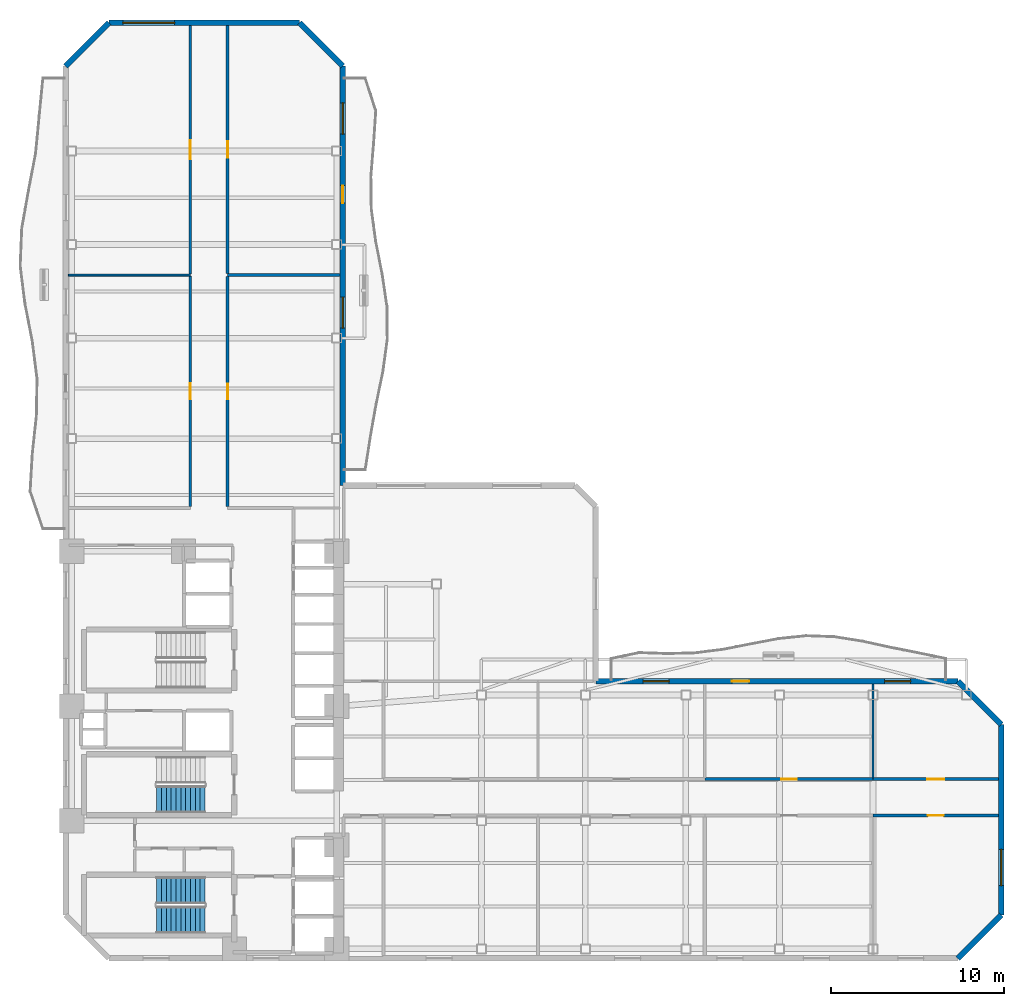
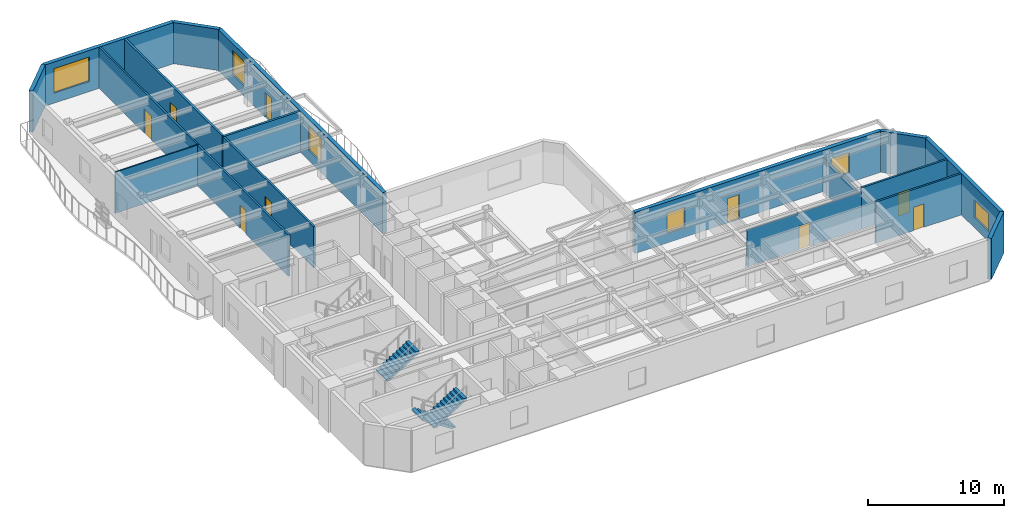
# One storey, part 6 of 10: 18 walls, 9 doors, 6 windows, 3 stair flights, 15 openings, 2 elements without a shape of their own.
"""IFC4 building model written with IfcOpenShell, lengths in metres."""

from ifc_helpers import new_model, si_unit, direction, frame, frame_2d, origin, place, context, subcontext, project, spatial, polyline, rectangle, outline, extrude, material, layer, layer_set, type_object, element, fill, aggregate, save


model = new_model("IFC4")

# Units and contexts
model_context = context("Model", 3, precision=1e-05, world=origin(), true_north=direction((0.0, 1.0)))
body_context = subcontext(model_context, "Body", "Model", "MODEL_VIEW")
ifc_project = project(units=[si_unit("LENGTHUNIT", "METRE"), si_unit("AREAUNIT", "SQUARE_METRE"), si_unit("VOLUMEUNIT", "CUBIC_METRE"), si_unit("PLANEANGLEUNIT", "RADIAN"), si_unit("MASSUNIT", "GRAM", prefix="KILO")], contexts=[model_context])

# Site, building, storey
site_placement = place(None, origin())
site = spatial("IfcSite", under=ifc_project, at=site_placement, CompositionType="ELEMENT")
building_placement = place(site_placement, origin())
building = spatial("IfcBuilding", under=site, at=building_placement, Name="Mawjaban Terraces University", CompositionType="ELEMENT")
storey_placement = place(building_placement, frame((0.0, 0.0, 58.300048828125)))
storey = spatial("IfcBuildingStorey", under=building, at=storey_placement, Name="L13", CompositionType="ELEMENT", Elevation=58.300048828125)

# Wall
ifc_material_1 = material(Name="Acoustic masonry blockwork", Category="masonry")
ifc_layer_1 = layer(ifc_material_1, 0.179931640625)
ifc_layer_set_1 = layer_set([ifc_layer_1], Name="Acoustic masonry blockwork")
wall_type_1 = type_object("IfcWallType", Name="AcousticStudioWall_180", PredefinedType="PARTITIONING", material=ifc_layer_set_1)
wall_1_placement = place(storey_placement, frame((37.844970703125, 39.43994140625, 0.0), z_axis=(0.0, 0.0, 1.0), x_axis=(-1.0, 0.0, 0.0)))
element("IfcWall", 1, at=wall_1_placement, inside=storey, type_object=wall_type_1, Name="L13 Faculty Office 11 Partition 13", PredefinedType="PARTITIONING", context=body_context, shape_type="SweptSolid", body=[
    extrude(rectangle(XDim=6.494873046875, YDim=0.179931640625, at=frame_2d((3.24755859375, 0.0))), origin(), (0.0, 0.0, 1.0), 3.68994140625),
])

# Wall, opening, door
wall_2_placement = place(storey_placement, frame((31.35009765625, 39.52490234375, 0.0), z_axis=(0.0, 0.0, 1.0), x_axis=(0.0, 1.0, 0.0)))
wall_2 = element("IfcWall", 2, at=wall_2_placement, inside=storey, type_object=wall_type_1, Name="L13 North Academic Spine Corridor Partition 34", PredefinedType="PARTITIONING", context=body_context, shape_type="SweptSolid", body=[
    extrude(rectangle(XDim=14.320068359375, YDim=0.179931640625, at=frame_2d((7.16015625, 0.0))), origin(), (0.0, 0.0, 1.0), 3.68994140625),
])
opening_1_placement = place(wall_2_placement, frame((6.68505859375, 0.0, 0.0)))
opening_1 = element("IfcOpeningElement", 3, at=opening_1_placement, cuts=wall_2, Name="Opening ID-095", PredefinedType="OPENING", context=body_context, shape_type="SweptSolid", body=[
    extrude(rectangle(XDim=0.949951171875, YDim=2.10009765625, at=frame_2d((0.47509765625, 1.050048828125))), frame((0.0, 0.099853515625, 0.0), z_axis=(0.0, -1.0, 0.0), x_axis=(1.0, 0.0, 0.0)), (0.0, 0.0, 1.0), 0.199951171875),
])
ifc_material_2 = material(Name="Powder-coated steel frame and solid acoustic timber leaf", Category="steel")
door_type_1 = type_object("IfcDoorType", Name="StudioDoor_950x2100", OperationType="NOTDEFINED", PredefinedType="DOOR", material=ifc_material_2)
door_1_placement = place(opening_1_placement, origin())
door_1 = element("IfcDoor", 4, at=door_1_placement, inside=storey, type_object=door_type_1, Name="L13 Design Studio 13 Door", OperationType="SINGLE_SWING_LEFT", OverallHeight=2.10009765625, OverallWidth=0.949951171875, PredefinedType="DOOR", context=body_context, shape_type="SweptSolid", body=[
    extrude(rectangle(XDim=0.949951171875, YDim=2.10009765625, at=frame_2d((0.47509765625, 1.050048828125))), frame((0.0, 0.02490234375, 0.0), z_axis=(0.0, -1.0, 0.0), x_axis=(1.0, 0.0, 0.0)), (0.0, 0.0, 1.0), 0.050048828125),
])
fill(opening_1, door_1)

ifc_material_3 = material(Name="Fire-rated gypsum board on steel stud", Category="steel")
ifc_layer_2 = layer(ifc_material_3, 0.159912109375)
ifc_layer_set_2 = layer_set([ifc_layer_2], Name="Fire-rated gypsum board on steel stud")
wall_type_2 = type_object("IfcWallType", Name="CorridorPartition_160", PredefinedType="PARTITIONING", material=ifc_layer_set_2)
wall_3_placement = place(storey_placement, frame((68.60009765625, 8.25, 0.0), z_axis=(0.0, 0.0, 1.0), x_axis=(1.0, 0.0, 0.0)))
wall_3 = element("IfcWall", 5, at=wall_3_placement, inside=storey, type_object=wall_type_2, Name="L13 East Academic Spine Corridor Partition 23", PredefinedType="PARTITIONING", context=body_context, shape_type="SweptSolid", body=[
    extrude(rectangle(XDim=7.244873046875, YDim=0.159912109375, at=frame_2d((3.62255859375, 0.0))), origin(), (0.0, 0.0, 1.0), 3.68994140625),
])
opening_2_placement = place(wall_3_placement, frame((3.173095703125, 0.0, 0.0)))
opening_2 = element("IfcOpeningElement", 6, at=opening_2_placement, cuts=wall_3, Name="Opening ID-090", PredefinedType="OPENING", context=body_context, shape_type="SweptSolid", body=[
    extrude(rectangle(XDim=0.89990234375, YDim=2.10009765625, at=frame_2d((0.449951171875, 1.050048828125))), frame((0.0, 0.08984375, 0.0), z_axis=(0.0, -1.0, 0.0), x_axis=(1.0, 0.0, 0.0)), (0.0, 0.0, 1.0), 0.179931640625),
])
door_type_2 = type_object("IfcDoorType", Name="OfficeDoor_900x2100", OperationType="NOTDEFINED", PredefinedType="DOOR", material=ifc_material_2)
door_2_placement = place(opening_2_placement, origin())
door_2 = element("IfcDoor", 7, at=door_2_placement, inside=storey, type_object=door_type_2, Name="L13 Academic Counseling Room 8 Door", OperationType="SINGLE_SWING_RIGHT", OverallHeight=2.10009765625, OverallWidth=0.89990234375, PredefinedType="DOOR", context=body_context, shape_type="SweptSolid", body=[
    extrude(rectangle(XDim=0.89990234375, YDim=2.10009765625, at=frame_2d((0.449951171875, 1.050048828125))), frame((0.0, 0.02490234375, 0.0), z_axis=(0.0, -1.0, 0.0), x_axis=(1.0, 0.0, 0.0)), (0.0, 0.0, 1.0), 0.050048828125),
])
fill(opening_2, door_2)

wall_4_placement = place(storey_placement, frame((68.60009765625, 10.35009765625, 0.0), z_axis=(0.0, 0.0, 1.0), x_axis=(-1.0, 0.0, 0.0)))
wall_4 = element("IfcWall", 8, at=wall_4_placement, inside=storey, type_object=wall_type_2, Name="L13 East Academic Spine Corridor Partition 24", PredefinedType="PARTITIONING", context=body_context, shape_type="SweptSolid", body=[
    extrude(rectangle(XDim=9.710205078125, YDim=0.159912109375, at=frame_2d((4.85498046875, 0.0))), origin(), (0.0, 0.0, 1.0), 3.27685546875),
])
opening_3_placement = place(wall_4_placement, frame((4.405029296875, 0.0, 0.0)))
opening_3 = element("IfcOpeningElement", 9, at=opening_3_placement, cuts=wall_4, Name="Opening ID-090", PredefinedType="OPENING", context=body_context, shape_type="SweptSolid", body=[
    extrude(rectangle(XDim=0.89990234375, YDim=2.10009765625, at=frame_2d((0.449951171875, 1.050048828125))), frame((0.0, 0.08984375, 0.0), z_axis=(0.0, -1.0, 0.0), x_axis=(1.0, 0.0, 0.0)), (0.0, 0.0, 1.0), 0.179931640625),
])
door_3_placement = place(opening_3_placement, origin())
door_3 = element("IfcDoor", 10, at=door_3_placement, inside=storey, type_object=door_type_2, Name="L13 Academic Counseling Room 7 Door", OperationType="SINGLE_SWING_LEFT", OverallHeight=2.10009765625, OverallWidth=0.89990234375, PredefinedType="DOOR", context=body_context, shape_type="SweptSolid", body=[
    extrude(rectangle(XDim=0.89990234375, YDim=2.10009765625, at=frame_2d((0.449951171875, 1.050048828125))), frame((0.0, 0.02490234375, 0.0), z_axis=(0.0, -1.0, 0.0), x_axis=(1.0, 0.0, 0.0)), (0.0, 0.0, 1.0), 0.050048828125),
])
fill(opening_3, door_3)

wall_5_placement = place(storey_placement, frame((75.844970703125, 10.35009765625, 0.0), z_axis=(0.0, 0.0, 1.0), x_axis=(-1.0, 0.0, 0.0)))
wall_5 = element("IfcWall", 11, at=wall_5_placement, inside=storey, type_object=wall_type_2, Name="L13 East Academic Spine Corridor Partition 25", PredefinedType="PARTITIONING", context=body_context, shape_type="SweptSolid", body=[
    extrude(rectangle(XDim=7.244873046875, YDim=0.159912109375, at=frame_2d((3.62255859375, 0.0))), origin(), (0.0, 0.0, 1.0), 3.68994140625),
])
opening_4_placement = place(wall_5_placement, frame((3.123046875, 0.0, 0.0)))
opening_4 = element("IfcOpeningElement", 12, at=opening_4_placement, cuts=wall_5, Name="Opening ID-100", PredefinedType="OPENING", context=body_context, shape_type="SweptSolid", body=[
    extrude(rectangle(XDim=1.0, YDim=2.10009765625, at=frame_2d((0.5, 1.050048828125))), frame((0.0, 0.08984375, 0.0), z_axis=(0.0, -1.0, 0.0), x_axis=(1.0, 0.0, 0.0)), (0.0, 0.0, 1.0), 0.179931640625),
])
door_type_3 = type_object("IfcDoorType", Name="ClassroomDoor_1000x2100", OperationType="NOTDEFINED", PredefinedType="DOOR", material=ifc_material_2)
door_4_placement = place(opening_4_placement, origin())
door_4 = element("IfcDoor", 13, at=door_4_placement, inside=storey, type_object=door_type_3, Name="L13 Classroom 9 Door", OperationType="SINGLE_SWING_LEFT", OverallHeight=2.10009765625, OverallWidth=1.0, PredefinedType="DOOR", context=body_context, shape_type="SweptSolid", body=[
    extrude(rectangle(XDim=1.0, YDim=2.10009765625, at=frame_2d((0.5, 1.050048828125))), frame((0.0, 0.02490234375, 0.0), z_axis=(0.0, -1.0, 0.0), x_axis=(1.0, 0.0, 0.0)), (0.0, 0.0, 1.0), 0.050048828125),
])
fill(opening_4, door_4)

wall_6_placement = place(storey_placement, frame((29.199951171875, 39.389892578125, 0.0), z_axis=(0.0, 0.0, 1.0), x_axis=(0.0, -1.0, 0.0)))
wall_6 = element("IfcWall", 14, at=wall_6_placement, inside=storey, type_object=wall_type_2, Name="L13 North Academic Spine Corridor Partition 31", PredefinedType="PARTITIONING", context=body_context, shape_type="SweptSolid", body=[
    extrude(rectangle(XDim=13.31494140625, YDim=0.159912109375, at=frame_2d((6.657470703125, 0.0))), origin(), (0.0, 0.0, 1.0), 3.68994140625),
])
opening_5_placement = place(wall_6_placement, frame((6.2080078125, 0.0, 0.0)))
opening_5 = element("IfcOpeningElement", 15, at=opening_5_placement, cuts=wall_6, Name="Opening ID-090", PredefinedType="OPENING", context=body_context, shape_type="SweptSolid", body=[
    extrude(rectangle(XDim=0.89990234375, YDim=2.10009765625, at=frame_2d((0.449951171875, 1.050048828125))), frame((0.0, 0.08984375, 0.0), z_axis=(0.0, -1.0, 0.0), x_axis=(1.0, 0.0, 0.0)), (0.0, 0.0, 1.0), 0.179931640625),
])
door_5_placement = place(opening_5_placement, origin())
door_5 = element("IfcDoor", 16, at=door_5_placement, inside=storey, type_object=door_type_2, Name="L13 Seminar Room 10 Door", OperationType="SINGLE_SWING_RIGHT", OverallHeight=2.10009765625, OverallWidth=0.89990234375, PredefinedType="DOOR", context=body_context, shape_type="SweptSolid", body=[
    extrude(rectangle(XDim=0.89990234375, YDim=2.10009765625, at=frame_2d((0.449951171875, 1.050048828125))), frame((0.0, 0.02490234375, 0.0), z_axis=(0.0, -1.0, 0.0), x_axis=(1.0, 0.0, 0.0)), (0.0, 0.0, 1.0), 0.050048828125),
])
fill(opening_5, door_5)

wall_7_placement = place(storey_placement, frame((31.35009765625, 26.074951171875, 0.0), z_axis=(0.0, 0.0, 1.0), x_axis=(0.0, 1.0, 0.0)))
wall_7 = element("IfcWall", 17, at=wall_7_placement, inside=storey, type_object=wall_type_2, Name="L13 North Academic Spine Corridor Partition 33", PredefinedType="PARTITIONING", context=body_context, shape_type="SweptSolid", body=[
    extrude(rectangle(XDim=13.280029296875, YDim=0.159912109375, at=frame_2d((6.64013671875, 0.0))), origin(), (0.0, 0.0, 1.0), 3.68994140625),
])
opening_6_placement = place(wall_7_placement, frame((6.18994140625, 0.0, 0.0)))
opening_6 = element("IfcOpeningElement", 18, at=opening_6_placement, cuts=wall_7, Name="Opening ID-090", PredefinedType="OPENING", context=body_context, shape_type="SweptSolid", body=[
    extrude(rectangle(XDim=0.89990234375, YDim=2.10009765625, at=frame_2d((0.449951171875, 1.050048828125))), frame((0.0, 0.08984375, 0.0), z_axis=(0.0, -1.0, 0.0), x_axis=(1.0, 0.0, 0.0)), (0.0, 0.0, 1.0), 0.179931640625),
])
door_6_placement = place(opening_6_placement, origin())
door_6 = element("IfcDoor", 19, at=door_6_placement, inside=storey, type_object=door_type_2, Name="L13 Faculty Office 11 Door", OperationType="SINGLE_SWING_LEFT", OverallHeight=2.10009765625, OverallWidth=0.89990234375, PredefinedType="DOOR", context=body_context, shape_type="SweptSolid", body=[
    extrude(rectangle(XDim=0.89990234375, YDim=2.10009765625, at=frame_2d((0.449951171875, 1.050048828125))), frame((0.0, 0.02490234375, 0.0), z_axis=(0.0, -1.0, 0.0), x_axis=(1.0, 0.0, 0.0)), (0.0, 0.0, 1.0), 0.050048828125),
])
fill(opening_6, door_6)

# Wall
ifc_material_4 = material(Name="Insulated terracotta rainscreen on concrete backup C40/50", Category="masonry")
ifc_layer_3 = layer(ifc_material_4, 0.320068359375)
ifc_layer_set_3 = layer_set([ifc_layer_3], Name="Insulated terracotta rainscreen on concrete backup C40/50")
wall_type_3 = type_object("IfcWallType", Name="ExtTerracottaWall_320", PredefinedType="SOLIDWALL", material=ifc_layer_set_3)
wall_8_placement = place(storey_placement, frame((73.5, 0.0, 0.0), z_axis=(0.0, 0.0, 1.0), x_axis=(0.707106781187, 0.707106781187, 0.0)))
element("IfcWall", 20, at=wall_8_placement, inside=storey, type_object=wall_type_3, Name="L13 Exterior Terracotta Wall 2", PredefinedType="SOLIDWALL", context=body_context, shape_type="SweptSolid", body=[
    extrude(rectangle(XDim=3.53564453125, YDim=0.320068359375, at=frame_2d((1.767822265625, 0.0))), origin(), (0.0, 0.0, 1.0), 3.68994140625),
])

# Wall, opening, window
wall_9_placement = place(storey_placement, frame((76.0, 2.5, 0.0), z_axis=(0.0, 0.0, 1.0), x_axis=(0.0, 1.0, 0.0)))
wall_9 = element("IfcWall", 21, at=wall_9_placement, inside=storey, type_object=wall_type_3, Name="L13 Exterior Terracotta Wall 3", PredefinedType="SOLIDWALL", context=body_context, shape_type="SweptSolid", body=[
    extrude(rectangle(XDim=11.0, YDim=0.320068359375, at=frame_2d((5.5, 0.0))), origin(), (0.0, 0.0, 1.0), 3.68994140625),
])
opening_7_placement = place(wall_9_placement, frame((1.699951171875, 0.0, 0.89990234375)))
opening_7 = element("IfcOpeningElement", 22, at=opening_7_placement, cuts=wall_9, Name="Opening W-04", PredefinedType="OPENING", context=body_context, shape_type="SweptSolid", body=[
    extrude(rectangle(XDim=2.10009765625, YDim=1.60009765625, at=frame_2d((1.050048828125, 0.800048828125))), frame((0.0, 0.169921875, 0.0), z_axis=(0.0, -1.0, 0.0), x_axis=(1.0, 0.0, 0.0)), (0.0, 0.0, 1.0), 0.340087890625),
])
ifc_material_5 = material(Name="Low-E solar-control double glazing in thermally broken aluminium frame", Category="aluminium")
window_type_1 = type_object("IfcWindowType", Name="Win_2100x1600", PartitioningType="SINGLE_PANEL", PredefinedType="WINDOW", material=ifc_material_5)
window_1_placement = place(opening_7_placement, origin())
window_1 = element("IfcWindow", 23, at=window_1_placement, inside=storey, type_object=window_type_1, Name="L13 Facade Window 3.1", OverallHeight=1.60009765625, OverallWidth=2.10009765625, PartitioningType="SINGLE_PANEL", PredefinedType="WINDOW", context=body_context, shape_type="SweptSolid", body=[
    extrude(rectangle(XDim=2.10009765625, YDim=1.60009765625, at=frame_2d((1.050048828125, 0.800048828125))), frame((0.0, 0.030029296875, 0.0), z_axis=(0.0, -1.0, 0.0), x_axis=(1.0, 0.0, 0.0)), (0.0, 0.0, 1.0), 0.06005859375),
])
fill(opening_7, window_1)

# Wall
wall_10_placement = place(storey_placement, frame((76.0, 13.5, 0.0), z_axis=(0.0, 0.0, 1.0), x_axis=(-0.707106781187, 0.707106781187, 0.0)))
element("IfcWall", 24, at=wall_10_placement, inside=storey, type_object=wall_type_3, Name="L13 Exterior Terracotta Wall 4", PredefinedType="SOLIDWALL", context=body_context, shape_type="SweptSolid", body=[
    extrude(rectangle(XDim=3.53564453125, YDim=0.320068359375, at=frame_2d((1.767822265625, 0.0))), origin(), (0.0, 0.0, 1.0), 3.68994140625),
])

# Wall, openings, door, windows
wall_11_placement = place(storey_placement, frame((73.5, 16.0, 0.0), z_axis=(0.0, 0.0, 1.0), x_axis=(-1.0, 0.0, 0.0)))
wall_11 = element("IfcWall", 25, at=wall_11_placement, inside=storey, type_object=wall_type_3, Name="L13 Exterior Terracotta Wall 5", PredefinedType="SOLIDWALL", context=body_context, shape_type="SweptSolid", body=[
    extrude(rectangle(XDim=20.89990234375, YDim=0.320068359375, at=frame_2d((10.449951171875, 0.0))), origin(), (0.0, 0.0, 1.0), 3.68994140625),
])
opening_8_placement = place(wall_11_placement, frame((12.050048828125, 0.0, 0.0)))
opening_8 = element("IfcOpeningElement", 26, at=opening_8_placement, cuts=wall_11, Name="Opening BD-100", PredefinedType="OPENING", context=body_context, shape_type="SweptSolid", body=[
    extrude(rectangle(XDim=1.0, YDim=2.199951171875, at=frame_2d((0.5, 1.10009765625))), frame((0.0, 0.169921875, 0.0), z_axis=(0.0, -1.0, 0.0), x_axis=(1.0, 0.0, 0.0)), (0.0, 0.0, 1.0), 0.340087890625),
])
opening_9_placement = place(wall_11_placement, frame((2.73291015625, 0.0, 0.89990234375)))
opening_9 = element("IfcOpeningElement", 27, at=opening_9_placement, cuts=wall_11, Name="Opening W-06", PredefinedType="OPENING", context=body_context, shape_type="SweptSolid", body=[
    extrude(rectangle(XDim=1.5, YDim=1.800048828125, at=frame_2d((0.75, 0.89990234375))), frame((0.0, 0.169921875, 0.0), z_axis=(0.0, -1.0, 0.0), x_axis=(1.0, 0.0, 0.0)), (0.0, 0.0, 1.0), 0.340087890625),
])
opening_10_placement = place(wall_11_placement, frame((16.6669921875, 0.0, 0.89990234375)))
opening_10 = element("IfcOpeningElement", 28, at=opening_10_placement, cuts=wall_11, Name="Opening W-06", PredefinedType="OPENING", context=body_context, shape_type="SweptSolid", body=[
    extrude(rectangle(XDim=1.5, YDim=1.800048828125, at=frame_2d((0.75, 0.89990234375))), frame((0.0, 0.169921875, 0.0), z_axis=(0.0, -1.0, 0.0), x_axis=(1.0, 0.0, 0.0)), (0.0, 0.0, 1.0), 0.340087890625),
])
ifc_material_6 = material(Name="Thermally broken anodised aluminium and laminated safety glass", Category="aluminium")
door_type_4 = type_object("IfcDoorType", Name="BalconyGlazedDoor_1000x2200", OperationType="NOTDEFINED", PredefinedType="DOOR", material=ifc_material_6)
door_7_placement = place(opening_8_placement, origin())
door_7 = element("IfcDoor", 29, at=door_7_placement, inside=storey, type_object=door_type_4, Name="L13 Balcony Access Door inner_north", OperationType="SINGLE_SWING_RIGHT", OverallHeight=2.199951171875, OverallWidth=1.0, PredefinedType="DOOR", context=body_context, shape_type="SweptSolid", body=[
    extrude(rectangle(XDim=1.0, YDim=2.199951171875, at=frame_2d((0.5, 1.10009765625))), frame((0.0, 0.02490234375, 0.0), z_axis=(0.0, -1.0, 0.0), x_axis=(1.0, 0.0, 0.0)), (0.0, 0.0, 1.0), 0.050048828125),
])
fill(opening_8, door_7)
window_type_2 = type_object("IfcWindowType", Name="Win_1500x1800", PartitioningType="SINGLE_PANEL", PredefinedType="WINDOW", material=ifc_material_5)
window_2_placement = place(opening_9_placement, origin())
window_2 = element("IfcWindow", 30, at=window_2_placement, inside=storey, type_object=window_type_2, Name="L13 Facade Window 5.1", OverallHeight=1.800048828125, OverallWidth=1.5, PartitioningType="SINGLE_PANEL", PredefinedType="WINDOW", context=body_context, shape_type="SweptSolid", body=[
    extrude(rectangle(XDim=1.5, YDim=1.800048828125, at=frame_2d((0.75, 0.89990234375))), frame((0.0, 0.030029296875, 0.0), z_axis=(0.0, -1.0, 0.0), x_axis=(1.0, 0.0, 0.0)), (0.0, 0.0, 1.0), 0.06005859375),
])
fill(opening_9, window_2)
window_3_placement = place(opening_10_placement, origin())
window_3 = element("IfcWindow", 31, at=window_3_placement, inside=storey, type_object=window_type_2, Name="L13 Facade Window 5.3", OverallHeight=1.800048828125, OverallWidth=1.5, PartitioningType="SINGLE_PANEL", PredefinedType="WINDOW", context=body_context, shape_type="SweptSolid", body=[
    extrude(rectangle(XDim=1.5, YDim=1.800048828125, at=frame_2d((0.75, 0.89990234375))), frame((0.0, 0.030029296875, 0.0), z_axis=(0.0, -1.0, 0.0), x_axis=(1.0, 0.0, 0.0)), (0.0, 0.0, 1.0), 0.06005859375),
])
fill(opening_10, window_3)

wall_12_placement = place(storey_placement, frame((38.0, 27.294921875, 0.0), z_axis=(0.0, 0.0, 1.0), x_axis=(0.0, 1.0, 0.0)))
wall_12 = element("IfcWall", 32, at=wall_12_placement, inside=storey, type_object=wall_type_3, Name="L13 Exterior Terracotta Wall 9", PredefinedType="SOLIDWALL", context=body_context, shape_type="SweptSolid", body=[
    extrude(rectangle(XDim=24.205078125, YDim=0.320068359375, at=frame_2d((12.1025390625, 0.0))), origin(), (0.0, 0.0, 1.0), 3.68994140625),
])
opening_11_placement = place(wall_12_placement, frame((16.302978515625, 0.0, 0.0)))
opening_11 = element("IfcOpeningElement", 33, at=opening_11_placement, cuts=wall_12, Name="Opening BD-100", PredefinedType="OPENING", context=body_context, shape_type="SweptSolid", body=[
    extrude(rectangle(XDim=1.0, YDim=2.199951171875, at=frame_2d((0.5, 1.10009765625))), frame((0.0, 0.169921875, 0.0), z_axis=(0.0, -1.0, 0.0), x_axis=(1.0, 0.0, 0.0)), (0.0, 0.0, 1.0), 0.340087890625),
])
opening_12_placement = place(wall_12_placement, frame((9.076904296875, 0.0, 0.89990234375)))
opening_12 = element("IfcOpeningElement", 34, at=opening_12_placement, cuts=wall_12, Name="Opening W-10", PredefinedType="OPENING", context=body_context, shape_type="SweptSolid", body=[
    extrude(rectangle(XDim=1.800048828125, YDim=2.199951171875, at=frame_2d((0.89990234375, 1.10009765625))), frame((0.0, 0.169921875, 0.0), z_axis=(0.0, -1.0, 0.0), x_axis=(1.0, 0.0, 0.0)), (0.0, 0.0, 1.0), 0.340087890625),
])
opening_13_placement = place(wall_12_placement, frame((20.279052734375, 0.0, 0.89990234375)))
opening_13 = element("IfcOpeningElement", 35, at=opening_13_placement, cuts=wall_12, Name="Opening W-10", PredefinedType="OPENING", context=body_context, shape_type="SweptSolid", body=[
    extrude(rectangle(XDim=1.800048828125, YDim=2.199951171875, at=frame_2d((0.89990234375, 1.10009765625))), frame((0.0, 0.169921875, 0.0), z_axis=(0.0, -1.0, 0.0), x_axis=(1.0, 0.0, 0.0)), (0.0, 0.0, 1.0), 0.340087890625),
])
door_8_placement = place(opening_11_placement, origin())
door_8 = element("IfcDoor", 36, at=door_8_placement, inside=storey, type_object=door_type_4, Name="L13 Balcony Access Door inner_east", OperationType="SINGLE_SWING_RIGHT", OverallHeight=2.199951171875, OverallWidth=1.0, PredefinedType="DOOR", context=body_context, shape_type="SweptSolid", body=[
    extrude(rectangle(XDim=1.0, YDim=2.199951171875, at=frame_2d((0.5, 1.10009765625))), frame((0.0, 0.02490234375, 0.0), z_axis=(0.0, -1.0, 0.0), x_axis=(1.0, 0.0, 0.0)), (0.0, 0.0, 1.0), 0.050048828125),
])
fill(opening_11, door_8)
window_type_3 = type_object("IfcWindowType", Name="Win_1800x2200", PartitioningType="SINGLE_PANEL", PredefinedType="WINDOW", material=ifc_material_5)
window_4_placement = place(opening_12_placement, origin())
window_4 = element("IfcWindow", 37, at=window_4_placement, inside=storey, type_object=window_type_3, Name="L13 Facade Window 9.2", OverallHeight=2.199951171875, OverallWidth=1.800048828125, PartitioningType="SINGLE_PANEL", PredefinedType="WINDOW", context=body_context, shape_type="SweptSolid", body=[
    extrude(rectangle(XDim=1.800048828125, YDim=2.199951171875, at=frame_2d((0.89990234375, 1.10009765625))), frame((0.0, 0.030029296875, 0.0), z_axis=(0.0, -1.0, 0.0), x_axis=(1.0, 0.0, 0.0)), (0.0, 0.0, 1.0), 0.06005859375),
])
fill(opening_12, window_4)
window_5_placement = place(opening_13_placement, origin())
window_5 = element("IfcWindow", 38, at=window_5_placement, inside=storey, type_object=window_type_3, Name="L13 Facade Window 9.4", OverallHeight=2.199951171875, OverallWidth=1.800048828125, PartitioningType="SINGLE_PANEL", PredefinedType="WINDOW", context=body_context, shape_type="SweptSolid", body=[
    extrude(rectangle(XDim=1.800048828125, YDim=2.199951171875, at=frame_2d((0.89990234375, 1.10009765625))), frame((0.0, 0.030029296875, 0.0), z_axis=(0.0, -1.0, 0.0), x_axis=(1.0, 0.0, 0.0)), (0.0, 0.0, 1.0), 0.06005859375),
])
fill(opening_13, window_5)

# Wall
wall_13_placement = place(storey_placement, frame((38.0, 51.5, 0.0), z_axis=(0.0, 0.0, 1.0), x_axis=(-0.707106781187, 0.707106781187, 0.0)))
element("IfcWall", 39, at=wall_13_placement, inside=storey, type_object=wall_type_3, Name="L13 Exterior Terracotta Wall 10", PredefinedType="SOLIDWALL", context=body_context, shape_type="SweptSolid", body=[
    extrude(rectangle(XDim=3.53564453125, YDim=0.320068359375, at=frame_2d((1.767822265625, 0.0))), origin(), (0.0, 0.0, 1.0), 3.68994140625),
])

# Wall, opening, window
wall_14_placement = place(storey_placement, frame((35.5, 54.0, 0.0), z_axis=(0.0, 0.0, 1.0), x_axis=(-1.0, 0.0, 0.0)))
wall_14 = element("IfcWall", 40, at=wall_14_placement, inside=storey, type_object=wall_type_3, Name="L13 Exterior Terracotta Wall 11", PredefinedType="SOLIDWALL", context=body_context, shape_type="SweptSolid", body=[
    extrude(rectangle(XDim=11.0, YDim=0.320068359375, at=frame_2d((5.5, 0.0))), origin(), (0.0, 0.0, 1.0), 3.68994140625),
])
opening_14_placement = place(wall_14_placement, frame((7.199951171875, 0.0, 0.89990234375)))
opening_14 = element("IfcOpeningElement", 41, at=opening_14_placement, cuts=wall_14, Name="Opening W-12", PredefinedType="OPENING", context=body_context, shape_type="SweptSolid", body=[
    extrude(rectangle(XDim=3.0, YDim=2.199951171875, at=frame_2d((1.5, 1.10009765625))), frame((0.0, 0.169921875, 0.0), z_axis=(0.0, -1.0, 0.0), x_axis=(1.0, 0.0, 0.0)), (0.0, 0.0, 1.0), 0.340087890625),
])
window_type_4 = type_object("IfcWindowType", Name="Win_3000x2200", PartitioningType="SINGLE_PANEL", PredefinedType="WINDOW", material=ifc_material_5)
window_6_placement = place(opening_14_placement, origin())
window_6 = element("IfcWindow", 42, at=window_6_placement, inside=storey, type_object=window_type_4, Name="L13 Facade Window 11.2", OverallHeight=2.199951171875, OverallWidth=3.0, PartitioningType="SINGLE_PANEL", PredefinedType="WINDOW", context=body_context, shape_type="SweptSolid", body=[
    extrude(rectangle(XDim=3.0, YDim=2.199951171875, at=frame_2d((1.5, 1.10009765625))), frame((0.0, 0.030029296875, 0.0), z_axis=(0.0, -1.0, 0.0), x_axis=(1.0, 0.0, 0.0)), (0.0, 0.0, 1.0), 0.06005859375),
])
fill(opening_14, window_6)

# Wall
wall_15_placement = place(storey_placement, frame((24.5, 54.0, 0.0), z_axis=(0.0, 0.0, 1.0), x_axis=(-0.707106781187, -0.707106781187, 0.0)))
element("IfcWall", 43, at=wall_15_placement, inside=storey, type_object=wall_type_3, Name="L13 Exterior Terracotta Wall 12", PredefinedType="SOLIDWALL", context=body_context, shape_type="SweptSolid", body=[
    extrude(rectangle(XDim=3.53564453125, YDim=0.320068359375, at=frame_2d((1.767822265625, 0.0))), origin(), (0.0, 0.0, 1.0), 3.68994140625),
])

# Wall, opening, door
ifc_material_7 = material(Name="Moisture-resistant gypsum board on steel stud", Category="steel")
ifc_layer_4 = layer(ifc_material_7, 0.14501953125)
ifc_layer_set_4 = layer_set([ifc_layer_4], Name="Moisture-resistant gypsum board on steel stud")
wall_type_4 = type_object("IfcWallType", Name="LabPartition_145", PredefinedType="PARTITIONING", material=ifc_layer_set_4)
wall_16_placement = place(storey_placement, frame((29.199951171875, 53.844970703125, 0.0), z_axis=(0.0, 0.0, 1.0), x_axis=(0.0, -1.0, 0.0)))
wall_16 = element("IfcWall", 44, at=wall_16_placement, inside=storey, type_object=wall_type_4, Name="L13 North Academic Spine Corridor Partition 32", PredefinedType="PARTITIONING", context=body_context, shape_type="SweptSolid", body=[
    extrude(rectangle(XDim=14.35498046875, YDim=0.14501953125, at=frame_2d((7.177490234375, 0.0))), origin(), (0.0, 0.0, 1.0), 3.68994140625),
])
opening_15_placement = place(wall_16_placement, frame((6.626953125, 0.0, 0.0)))
opening_15 = element("IfcOpeningElement", 45, at=opening_15_placement, cuts=wall_16, Name="Opening ID-110", PredefinedType="OPENING", context=body_context, shape_type="SweptSolid", body=[
    extrude(rectangle(XDim=1.10009765625, YDim=2.14990234375, at=frame_2d((0.550048828125, 1.074951171875))), frame((0.0, 0.08251953125, 0.0), z_axis=(0.0, -1.0, 0.0), x_axis=(1.0, 0.0, 0.0)), (0.0, 0.0, 1.0), 0.1650390625),
])
door_type_5 = type_object("IfcDoorType", Name="LabDoor_1100x2150", OperationType="NOTDEFINED", PredefinedType="DOOR", material=ifc_material_2)
door_9_placement = place(opening_15_placement, origin())
door_9 = element("IfcDoor", 46, at=door_9_placement, inside=storey, type_object=door_type_5, Name="L13 Teaching Laboratory 12 Door", OperationType="SINGLE_SWING_RIGHT", OverallHeight=2.14990234375, OverallWidth=1.10009765625, PredefinedType="DOOR", context=body_context, shape_type="SweptSolid", body=[
    extrude(rectangle(XDim=1.10009765625, YDim=2.14990234375, at=frame_2d((0.550048828125, 1.074951171875))), frame((0.0, 0.02490234375, 0.0), z_axis=(0.0, -1.0, 0.0), x_axis=(1.0, 0.0, 0.0)), (0.0, 0.0, 1.0), 0.050048828125),
])
fill(opening_15, door_9)

# Walls
ifc_material_8 = material(Name="Gypsum plasterboard on steel stud", Category="steel")
ifc_layer_5 = layer(ifc_material_8, 0.125)
ifc_layer_set_5 = layer_set([ifc_layer_5], Name="Gypsum plasterboard on steel stud")
wall_type_5 = type_object("IfcWallType", Name="OfficePartition_125", PredefinedType="PARTITIONING", material=ifc_layer_set_5)
wall_17_placement = place(storey_placement, frame((68.60009765625, 10.425048828125, 0.0), z_axis=(0.0, 0.0, 1.0), x_axis=(0.0, 1.0, 0.0)))
element("IfcWall", 47, at=wall_17_placement, inside=storey, type_object=wall_type_5, Name="L13 Academic Counseling Room 7 Partition 47", PredefinedType="PARTITIONING", context=body_context, shape_type="SweptSolid", body=[
    extrude(rectangle(XDim=5.419921875, YDim=0.125, at=frame_2d((2.7099609375, 0.0))), origin(), (0.0, 0.0, 1.0), 3.054931640625),
])
ifc_material_9 = material(Name="Acoustic operable panel partition", Category="masonry")
ifc_layer_6 = layer(ifc_material_9, 0.110107421875)
ifc_layer_set_6 = layer_set([ifc_layer_6], Name="Acoustic operable panel partition")
wall_type_6 = type_object("IfcWallType", Name="OperableSeminarWall_110", PredefinedType="MOVABLE", material=ifc_layer_set_6)
wall_18_placement = place(storey_placement, frame((29.199951171875, 39.43994140625, 0.0), z_axis=(0.0, 0.0, 1.0), x_axis=(-1.0, 0.0, 0.0)))
element("IfcWall", 48, at=wall_18_placement, inside=storey, type_object=wall_type_6, Name="L13 Seminar Room 10 Partition 8", PredefinedType="MOVABLE", context=body_context, shape_type="SweptSolid", body=[
    extrude(rectangle(XDim=7.044921875, YDim=0.110107421875, at=frame_2d((3.5224609375, 0.0))), origin(), (0.0, 0.0, 1.0), 3.68994140625),
])

# Stair, stair flights
ifc_material_10 = material(Name="Concrete C40/50", Category="concrete")
stair_type = type_object("IfcStairType", Name="Stair_Core1550_H39", PredefinedType="HALF_TURN_STAIR", material=ifc_material_10)
stair_1_placement = place(storey_placement, origin())
stair_1 = element("IfcStair", 49, at=stair_1_placement, inside=storey, type_object=stair_type, Name="L13 Core Exit Stair 1", PredefinedType="HALF_TURN_STAIR")
stair_flight_type = type_object("IfcStairFlightType", Name="Flight_Core1550_H39", PredefinedType="STRAIGHT", material=ifc_material_10)
stair_flight_1_placement = place(storey_placement, frame((30.050048828125, 3.925048828125, 0.0), z_axis=(0.0, 0.0, 1.0), x_axis=(-1.0, 0.0, 0.0)))
stair_flight_1 = element("IfcStairFlight", 50, at=stair_flight_1_placement, type_object=stair_flight_type, Name="ST-1 flight 1", NumberOfRisers=11, NumberOfTreads=10, PredefinedType="STRAIGHT", RiserHeight=0.177272727, TreadLength=0.28, context=body_context, shape_type="SweptSolid", body=[
    extrude(outline(polyline([(0.0, 0.0), (0.0, 0.17724609375), (0.280029296875, 0.17724609375), (0.280029296875, 0.3544921875), (0.56005859375, 0.3544921875), (0.56005859375, 0.53173828125), (0.840087890625, 0.53173828125), (0.840087890625, 0.708984375), (1.1201171875, 0.708984375), (1.1201171875, 0.886474609375), (1.39990234375, 0.886474609375), (1.39990234375, 1.063720703125), (1.679931640625, 1.063720703125), (1.679931640625, 1.240966796875), (1.9599609375, 1.240966796875), (1.9599609375, 1.418212890625), (2.239990234375, 1.418212890625), (2.239990234375, 1.595458984375), (2.52001953125, 1.595458984375), (2.52001953125, 1.772705078125), (2.800048828125, 1.772705078125), (2.800048828125, 1.949951171875), (2.800048828125, 1.59521484375), (0.2802734375, 0.0), (0.0, 0.0)])), frame((0.0, 0.77490234375, 0.0), z_axis=(0.0, -1.0, 0.0), x_axis=(1.0, 0.0, 0.0)), (0.0, 0.0, 1.0), 1.550048828125),
])
stair_flight_2_placement = place(storey_placement, frame((27.25, 2.22509765625, 1.949951171875), z_axis=(0.0, 0.0, 1.0), x_axis=(1.0, 0.0, 0.0)))
stair_flight_2 = element("IfcStairFlight", 51, at=stair_flight_2_placement, type_object=stair_flight_type, Name="ST-1 flight 2", NumberOfRisers=11, NumberOfTreads=10, PredefinedType="STRAIGHT", RiserHeight=0.177272727, TreadLength=0.28, context=body_context, shape_type="SweptSolid", body=[
    extrude(outline(polyline([(0.0, 0.0), (0.0, 0.17724609375), (0.280029296875, 0.17724609375), (0.280029296875, 0.3544921875), (0.56005859375, 0.3544921875), (0.56005859375, 0.53173828125), (0.840087890625, 0.53173828125), (0.840087890625, 0.708984375), (1.1201171875, 0.708984375), (1.1201171875, 0.886474609375), (1.39990234375, 0.886474609375), (1.39990234375, 1.063720703125), (1.679931640625, 1.063720703125), (1.679931640625, 1.240966796875), (1.9599609375, 1.240966796875), (1.9599609375, 1.418212890625), (2.239990234375, 1.418212890625), (2.239990234375, 1.595458984375), (2.52001953125, 1.595458984375), (2.52001953125, 1.772705078125), (2.800048828125, 1.772705078125), (2.800048828125, 1.949951171875), (2.800048828125, 1.59521484375), (0.2802734375, 0.0), (0.0, 0.0)])), frame((0.0, 0.77490234375, 0.0), z_axis=(0.0, -1.0, 0.0), x_axis=(1.0, 0.0, 0.0)), (0.0, 0.0, 1.0), 1.550048828125),
])
aggregate(stair_1, [stair_flight_1, stair_flight_2])

# Stair, stair flight
stair_2_placement = place(storey_placement, origin())
stair_2 = element("IfcStair", 52, at=stair_2_placement, inside=storey, type_object=stair_type, Name="L13 Core Exit Stair 3", PredefinedType="HALF_TURN_STAIR")
stair_flight_3_placement = place(storey_placement, frame((27.25, 9.175048828125, 1.949951171875), z_axis=(0.0, 0.0, 1.0), x_axis=(1.0, 0.0, 0.0)))
stair_flight_3 = element("IfcStairFlight", 53, at=stair_flight_3_placement, type_object=stair_flight_type, Name="ST-3 flight 2", NumberOfRisers=11, NumberOfTreads=10, PredefinedType="STRAIGHT", RiserHeight=0.177272727, TreadLength=0.28, context=body_context, shape_type="SweptSolid", body=[
    extrude(outline(polyline([(0.0, 0.0), (0.0, 0.17724609375), (0.280029296875, 0.17724609375), (0.280029296875, 0.3544921875), (0.56005859375, 0.3544921875), (0.56005859375, 0.53173828125), (0.840087890625, 0.53173828125), (0.840087890625, 0.708984375), (1.1201171875, 0.708984375), (1.1201171875, 0.886474609375), (1.39990234375, 0.886474609375), (1.39990234375, 1.063720703125), (1.679931640625, 1.063720703125), (1.679931640625, 1.240966796875), (1.9599609375, 1.240966796875), (1.9599609375, 1.418212890625), (2.239990234375, 1.418212890625), (2.239990234375, 1.595458984375), (2.52001953125, 1.595458984375), (2.52001953125, 1.772705078125), (2.800048828125, 1.772705078125), (2.800048828125, 1.949951171875), (2.800048828125, 1.59521484375), (0.2802734375, 0.0), (0.0, 0.0)])), frame((0.0, 0.77490234375, 0.0), z_axis=(0.0, -1.0, 0.0), x_axis=(1.0, 0.0, 0.0)), (0.0, 0.0, 1.0), 1.550048828125),
])
aggregate(stair_2, [stair_flight_3])

save(model, "model.ifc")
